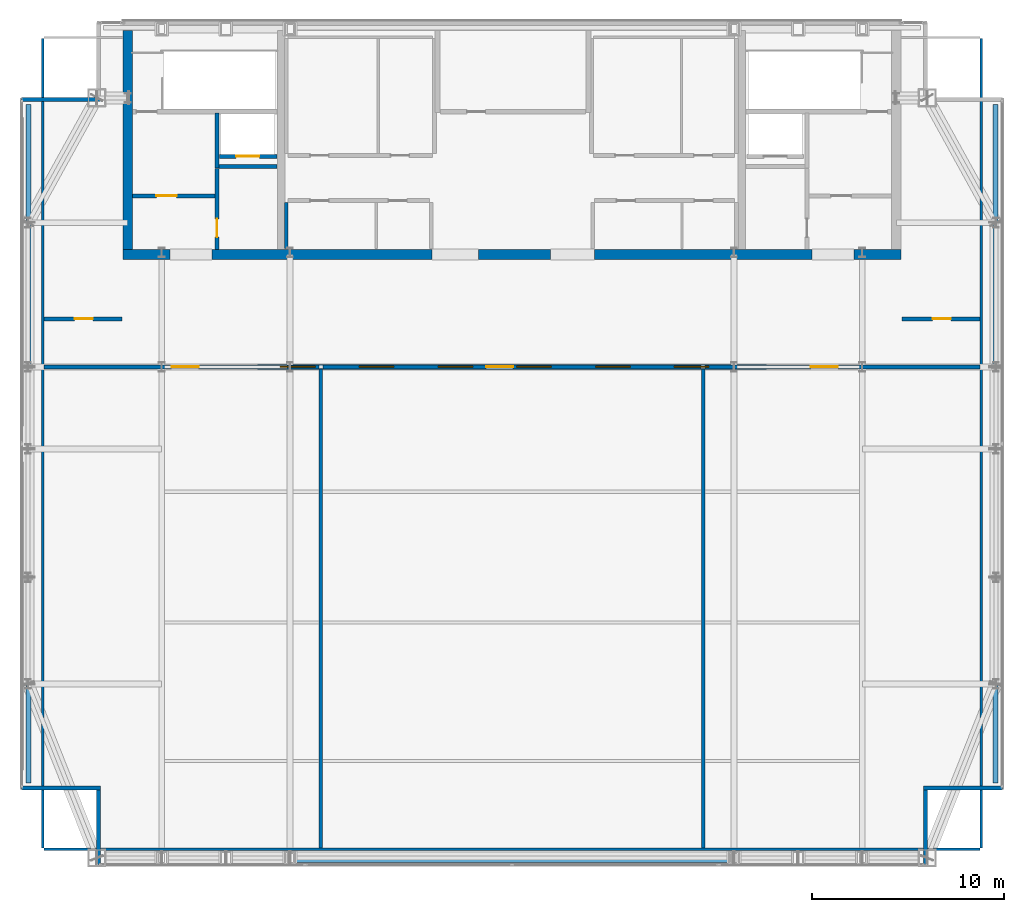
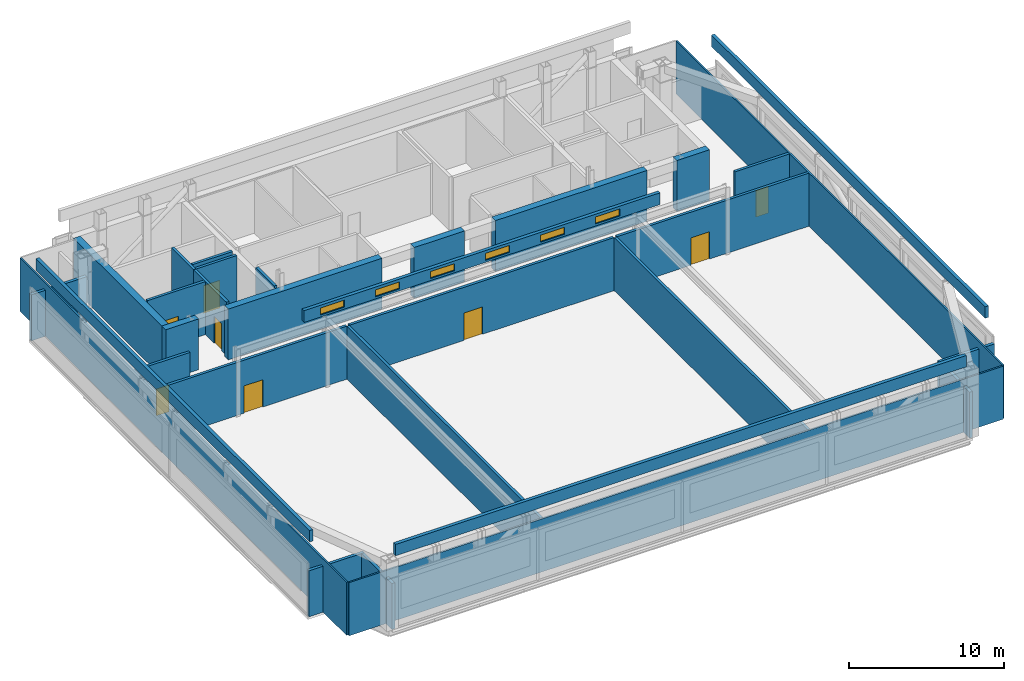
# One storey, part 21 of 24: 31 walls, 8 doors, 6 windows, 14 openings.
"""IFC4 building model written with IfcOpenShell, lengths in metres."""

from ifc_helpers import new_model, si_unit, direction, frame, frame_2d, origin, place, context, subcontext, project, spatial, rectangle, extrude, material, layer, layer_set, type_object, element, fill, save


model = new_model("IFC4")

# Units and contexts
model_context = context("Model", 3, precision=1e-05, world=origin(), true_north=direction((0.0, 1.0)))
body_context = subcontext(model_context, "Body", "Model", "MODEL_VIEW")
ifc_project = project(units=[si_unit("LENGTHUNIT", "METRE"), si_unit("AREAUNIT", "SQUARE_METRE"), si_unit("VOLUMEUNIT", "CUBIC_METRE"), si_unit("PLANEANGLEUNIT", "RADIAN"), si_unit("MASSUNIT", "GRAM", prefix="KILO")], contexts=[model_context])

# Site, building, storey
site_placement = place(None, origin())
site = spatial("IfcSite", under=ifc_project, at=site_placement, CompositionType="ELEMENT")
building_placement = place(site_placement, origin())
building = spatial("IfcBuilding", under=site, at=building_placement, Name="Khoronbel Lancet Exchange", CompositionType="ELEMENT")
storey_placement = place(building_placement, frame((0.0, 0.0, 378.60009765625)))
storey = spatial("IfcBuildingStorey", under=building, at=storey_placement, Name="L96", CompositionType="ELEMENT", Elevation=378.60009765625)

# Walls
ifc_material_1 = material(Name="Concrete C60/75", Category="concrete")
ifc_layer_1 = layer(ifc_material_1, 0.5, Name="Concrete C60/75")
ifc_layer_set_1 = layer_set([ifc_layer_1], Name="Concrete C60/75")
wall_type_1 = type_object("IfcWallType", Name="WL-CW4", PredefinedType="SHEAR", material=ifc_layer_set_1)
wall_1_placement = place(storey_placement, frame((16.449951171875, 41.800048828125, 0.0), z_axis=(0.0, 0.0, 1.0), x_axis=(0.0, 1.0, 0.0)))
element("IfcWall", 1, at=wall_1_placement, inside=storey, type_object=wall_type_1, Name="Level L96 rear core west shear wall", PredefinedType="SHEAR", context=body_context, shape_type="SweptSolid", body=[
    extrude(rectangle(XDim=11.39990234375, YDim=0.5, at=frame_2d((5.699951171875, 0.0))), origin(), (0.0, 0.0, 1.0), 4.0),
])
wall_2_placement = place(storey_placement, frame((18.64990234375, 41.550048828125, 0.0), z_axis=(0.0, 0.0, 1.0), x_axis=(-1.0, 0.0, 0.0)))
element("IfcWall", 2, at=wall_2_placement, inside=storey, type_object=wall_type_1, Name="Level L96 rear core south shear wall pier P1", PredefinedType="SHEAR", context=body_context, shape_type="SweptSolid", body=[
    extrude(rectangle(XDim=2.449951171875, YDim=0.5, at=frame_2d((1.22509765625, 0.0))), origin(), (0.0, 0.0, 1.0), 4.0),
])
wall_3_placement = place(storey_placement, frame((32.300048828125, 41.550048828125, 0.0), z_axis=(0.0, 0.0, 1.0), x_axis=(-1.0, 0.0, 0.0)))
element("IfcWall", 3, at=wall_3_placement, inside=storey, type_object=wall_type_1, Name="Level L96 rear core south shear wall pier P2", PredefinedType="SHEAR", context=body_context, shape_type="SweptSolid", body=[
    extrude(rectangle(XDim=11.449951171875, YDim=0.5, at=frame_2d((5.72509765625, 0.0))), origin(), (0.0, 0.0, 1.0), 4.0),
])
wall_4_placement = place(storey_placement, frame((38.449951171875, 41.550048828125, 0.0), z_axis=(0.0, 0.0, 1.0), x_axis=(-1.0, 0.0, 0.0)))
element("IfcWall", 4, at=wall_4_placement, inside=storey, type_object=wall_type_1, Name="Level L96 rear core south shear wall pier P3", PredefinedType="SHEAR", context=body_context, shape_type="SweptSolid", body=[
    extrude(rectangle(XDim=3.75, YDim=0.5, at=frame_2d((1.875, 0.0))), origin(), (0.0, 0.0, 1.0), 4.0),
])
wall_5_placement = place(storey_placement, frame((52.050048828125, 41.550048828125, 0.0), z_axis=(0.0, 0.0, 1.0), x_axis=(-1.0, 0.0, 0.0)))
element("IfcWall", 5, at=wall_5_placement, inside=storey, type_object=wall_type_1, Name="Level L96 rear core south shear wall pier P4", PredefinedType="SHEAR", context=body_context, shape_type="SweptSolid", body=[
    extrude(rectangle(XDim=11.300048828125, YDim=0.5, at=frame_2d((5.64990234375, 0.0))), origin(), (0.0, 0.0, 1.0), 4.0),
])
wall_6_placement = place(storey_placement, frame((56.699951171875, 41.550048828125, 0.0), z_axis=(0.0, 0.0, 1.0), x_axis=(-1.0, 0.0, 0.0)))
element("IfcWall", 6, at=wall_6_placement, inside=storey, type_object=wall_type_1, Name="Level L96 rear core south shear wall pier P5", PredefinedType="SHEAR", context=body_context, shape_type="SweptSolid", body=[
    extrude(rectangle(XDim=2.449951171875, YDim=0.5, at=frame_2d((1.22509765625, 0.0))), origin(), (0.0, 0.0, 1.0), 4.0),
])
ifc_material_2 = material(Name="Precast concrete C40/50", Category="concrete")
ifc_layer_2 = layer(ifc_material_2, 0.25, Name="Precast concrete C40/50")
ifc_layer_set_2 = layer_set([ifc_layer_2], Name="Precast concrete C40/50")
wall_type_2 = type_object("IfcWallType", Name="WL-EXT250", PredefinedType="SOLIDWALL", material=ifc_layer_set_2)
wall_7_placement = place(storey_placement, frame((14.93994140625, 9.77001953125, 0.0), z_axis=(0.0, 0.0, 1.0), x_axis=(0.0, 1.0, 0.0)))
element("IfcWall", 7, at=wall_7_placement, inside=storey, type_object=wall_type_2, Name="Level L96 notched-corner limestone pier 01", PredefinedType="SOLIDWALL", context=body_context, shape_type="SweptSolid", body=[
    extrude(rectangle(XDim=3.909912109375, YDim=0.219970703125, at=frame_2d((1.955078125, 0.0))), origin(), (0.0, 0.0, 1.0), 3.619873046875),
])
for number, where, z_axis, x_axis, name in (
    (8, (15.050048828125, 13.7900390625, 0.0), (0.0, 0.0, 1.0), (-1.0, 0.0, 0.0), "Level L96 notched-corner limestone pier 02"),
    (9, (10.919921875, 49.610107421875, 0.0), (0.0, 0.0, 1.0), (1.0, 0.0, 0.0), "Level L96 notched-corner limestone pier 04"),
):
    element("IfcWall", number, at=place(storey_placement, frame(where, z_axis=z_axis, x_axis=x_axis)), inside=storey, type_object=wall_type_2, Name=name, PredefinedType="SOLIDWALL", context=body_context, shape_type="SweptSolid", body=[
        extrude(rectangle(XDim=4.130126953125, YDim=0.219970703125, at=frame_2d((2.06494140625, 0.0))), origin(), (0.0, 0.0, 1.0), 3.619873046875),
    ])
wall_8_placement = place(storey_placement, frame((61.97998046875, 13.7900390625, 0.0), z_axis=(0.0, 0.0, 1.0), x_axis=(-1.0, 0.0, 0.0)))
element("IfcWall", 10, at=wall_8_placement, inside=storey, type_object=wall_type_2, Name="Level L96 notched-corner limestone pier 10", PredefinedType="SOLIDWALL", context=body_context, shape_type="SweptSolid", body=[
    extrude(rectangle(XDim=4.1298828125, YDim=0.219970703125, at=frame_2d((2.06494140625, 0.0))), origin(), (0.0, 0.0, 1.0), 3.619873046875),
])
wall_9_placement = place(storey_placement, frame((57.9599609375, 13.679931640625, 0.0), z_axis=(0.0, 0.0, 1.0), x_axis=(0.0, -1.0, 0.0)))
element("IfcWall", 11, at=wall_9_placement, inside=storey, type_object=wall_type_2, Name="Level L96 notched-corner limestone pier 11", PredefinedType="SOLIDWALL", context=body_context, shape_type="SweptSolid", body=[
    extrude(rectangle(XDim=3.909912109375, YDim=0.219970703125, at=frame_2d((1.955078125, 0.0))), origin(), (0.0, 0.0, 1.0), 3.619873046875),
])

# Wall, openings, windows
ifc_material_3 = material(Name="Concrete C40/50", Category="concrete")
ifc_layer_3 = layer(ifc_material_3, 0.25, Name="Concrete C40/50")
ifc_layer_set_3 = layer_set([ifc_layer_3], Name="Concrete C40/50")
wall_type_3 = type_object("IfcWallType", Name="WL-PAR250", PredefinedType="PARAPET", material=ifc_layer_set_3)
wall_10_placement = place(storey_placement, frame((23.199951171875, 35.699951171875, 5.599853515625), z_axis=(0.0, 0.0, 1.0), x_axis=(1.0, 0.0, 0.0)))
wall_10 = element("IfcWall", 12, at=wall_10_placement, inside=storey, type_object=wall_type_3, Name="Level L96 crown ridge skylight lantern curb wall", PredefinedType="PARAPET", context=body_context, shape_type="SweptSolid", body=[
    extrude(rectangle(XDim=26.5, YDim=0.25, at=frame_2d((13.25, 0.0))), origin(), (0.0, 0.0, 1.0), 0.929931640625),
])
opening_1_placement = place(wall_10_placement, frame((1.199951171875, 0.0, 0.159912109375)))
opening_1 = element("IfcOpeningElement", 13, at=opening_1_placement, cuts=wall_10, Name="Opening SK1", PredefinedType="OPENING", context=body_context, shape_type="SweptSolid", body=[
    extrude(rectangle(XDim=1.800048828125, YDim=0.550048828125, at=frame_2d((0.89990234375, 0.27490234375))), frame((0.0, 0.135009765625, 0.0), z_axis=(0.0, -1.0, 0.0), x_axis=(1.0, 0.0, 0.0)), (0.0, 0.0, 1.0), 0.27001953125),
])
opening_2_placement = place(wall_10_placement, frame((5.300048828125, 0.0, 0.159912109375)))
opening_2 = element("IfcOpeningElement", 14, at=opening_2_placement, cuts=wall_10, Name="Opening SK1", PredefinedType="OPENING", context=body_context, shape_type="SweptSolid", body=[
    extrude(rectangle(XDim=1.800048828125, YDim=0.550048828125, at=frame_2d((0.89990234375, 0.27490234375))), frame((0.0, 0.135009765625, 0.0), z_axis=(0.0, -1.0, 0.0), x_axis=(1.0, 0.0, 0.0)), (0.0, 0.0, 1.0), 0.27001953125),
])
opening_3_placement = place(wall_10_placement, frame((9.39990234375, 0.0, 0.159912109375)))
opening_3 = element("IfcOpeningElement", 15, at=opening_3_placement, cuts=wall_10, Name="Opening SK1", PredefinedType="OPENING", context=body_context, shape_type="SweptSolid", body=[
    extrude(rectangle(XDim=1.800048828125, YDim=0.550048828125, at=frame_2d((0.89990234375, 0.27490234375))), frame((0.0, 0.135009765625, 0.0), z_axis=(0.0, -1.0, 0.0), x_axis=(1.0, 0.0, 0.0)), (0.0, 0.0, 1.0), 0.27001953125),
])
opening_4_placement = place(wall_10_placement, frame((13.5, 0.0, 0.159912109375)))
opening_4 = element("IfcOpeningElement", 16, at=opening_4_placement, cuts=wall_10, Name="Opening SK1", PredefinedType="OPENING", context=body_context, shape_type="SweptSolid", body=[
    extrude(rectangle(XDim=1.800048828125, YDim=0.550048828125, at=frame_2d((0.89990234375, 0.27490234375))), frame((0.0, 0.135009765625, 0.0), z_axis=(0.0, -1.0, 0.0), x_axis=(1.0, 0.0, 0.0)), (0.0, 0.0, 1.0), 0.27001953125),
])
opening_5_placement = place(wall_10_placement, frame((17.60009765625, 0.0, 0.159912109375)))
opening_5 = element("IfcOpeningElement", 17, at=opening_5_placement, cuts=wall_10, Name="Opening SK1", PredefinedType="OPENING", context=body_context, shape_type="SweptSolid", body=[
    extrude(rectangle(XDim=1.800048828125, YDim=0.550048828125, at=frame_2d((0.89990234375, 0.27490234375))), frame((0.0, 0.135009765625, 0.0), z_axis=(0.0, -1.0, 0.0), x_axis=(1.0, 0.0, 0.0)), (0.0, 0.0, 1.0), 0.27001953125),
])
opening_6_placement = place(wall_10_placement, frame((21.699951171875, 0.0, 0.159912109375)))
opening_6 = element("IfcOpeningElement", 18, at=opening_6_placement, cuts=wall_10, Name="Opening SK1", PredefinedType="OPENING", context=body_context, shape_type="SweptSolid", body=[
    extrude(rectangle(XDim=1.800048828125, YDim=0.550048828125, at=frame_2d((0.89990234375, 0.27490234375))), frame((0.0, 0.135009765625, 0.0), z_axis=(0.0, -1.0, 0.0), x_axis=(1.0, 0.0, 0.0)), (0.0, 0.0, 1.0), 0.27001953125),
])
ifc_material_4 = material(Name="Low-E Solar Control Insulating Glass", Category="glass")
window_type = type_object("IfcWindowType", Name="WIN-SK1", PartitioningType="SINGLE_PANEL", PredefinedType="SKYLIGHT", material=ifc_material_4)
window_1_placement = place(opening_1_placement, origin())
window_1 = element("IfcWindow", 19, at=window_1_placement, inside=storey, type_object=window_type, Name="Level L96 crown maintenance clerestory skylight 1", OverallHeight=0.550048828125, OverallWidth=1.800048828125, PartitioningType="SINGLE_PANEL", PredefinedType="SKYLIGHT", context=body_context, shape_type="SweptSolid", body=[
    extrude(rectangle(XDim=1.800048828125, YDim=0.550048828125, at=frame_2d((0.89990234375, 0.27490234375))), frame((0.0, 0.030029296875, 0.0), z_axis=(0.0, -1.0, 0.0), x_axis=(1.0, 0.0, 0.0)), (0.0, 0.0, 1.0), 0.06005859375),
])
fill(opening_1, window_1)
window_2_placement = place(opening_2_placement, origin())
window_2 = element("IfcWindow", 20, at=window_2_placement, inside=storey, type_object=window_type, Name="Level L96 crown maintenance clerestory skylight 2", OverallHeight=0.550048828125, OverallWidth=1.800048828125, PartitioningType="SINGLE_PANEL", PredefinedType="SKYLIGHT", context=body_context, shape_type="SweptSolid", body=[
    extrude(rectangle(XDim=1.800048828125, YDim=0.550048828125, at=frame_2d((0.89990234375, 0.27490234375))), frame((0.0, 0.030029296875, 0.0), z_axis=(0.0, -1.0, 0.0), x_axis=(1.0, 0.0, 0.0)), (0.0, 0.0, 1.0), 0.06005859375),
])
fill(opening_2, window_2)
window_3_placement = place(opening_3_placement, origin())
window_3 = element("IfcWindow", 21, at=window_3_placement, inside=storey, type_object=window_type, Name="Level L96 crown maintenance clerestory skylight 3", OverallHeight=0.550048828125, OverallWidth=1.800048828125, PartitioningType="SINGLE_PANEL", PredefinedType="SKYLIGHT", context=body_context, shape_type="SweptSolid", body=[
    extrude(rectangle(XDim=1.800048828125, YDim=0.550048828125, at=frame_2d((0.89990234375, 0.27490234375))), frame((0.0, 0.030029296875, 0.0), z_axis=(0.0, -1.0, 0.0), x_axis=(1.0, 0.0, 0.0)), (0.0, 0.0, 1.0), 0.06005859375),
])
fill(opening_3, window_3)
window_4_placement = place(opening_4_placement, origin())
window_4 = element("IfcWindow", 22, at=window_4_placement, inside=storey, type_object=window_type, Name="Level L96 crown maintenance clerestory skylight 4", OverallHeight=0.550048828125, OverallWidth=1.800048828125, PartitioningType="SINGLE_PANEL", PredefinedType="SKYLIGHT", context=body_context, shape_type="SweptSolid", body=[
    extrude(rectangle(XDim=1.800048828125, YDim=0.550048828125, at=frame_2d((0.89990234375, 0.27490234375))), frame((0.0, 0.030029296875, 0.0), z_axis=(0.0, -1.0, 0.0), x_axis=(1.0, 0.0, 0.0)), (0.0, 0.0, 1.0), 0.06005859375),
])
fill(opening_4, window_4)
window_5_placement = place(opening_5_placement, origin())
window_5 = element("IfcWindow", 23, at=window_5_placement, inside=storey, type_object=window_type, Name="Level L96 crown maintenance clerestory skylight 5", OverallHeight=0.550048828125, OverallWidth=1.800048828125, PartitioningType="SINGLE_PANEL", PredefinedType="SKYLIGHT", context=body_context, shape_type="SweptSolid", body=[
    extrude(rectangle(XDim=1.800048828125, YDim=0.550048828125, at=frame_2d((0.89990234375, 0.27490234375))), frame((0.0, 0.030029296875, 0.0), z_axis=(0.0, -1.0, 0.0), x_axis=(1.0, 0.0, 0.0)), (0.0, 0.0, 1.0), 0.06005859375),
])
fill(opening_5, window_5)
window_6_placement = place(opening_6_placement, origin())
window_6 = element("IfcWindow", 24, at=window_6_placement, inside=storey, type_object=window_type, Name="Level L96 crown maintenance clerestory skylight 6", OverallHeight=0.550048828125, OverallWidth=1.800048828125, PartitioningType="SINGLE_PANEL", PredefinedType="SKYLIGHT", context=body_context, shape_type="SweptSolid", body=[
    extrude(rectangle(XDim=1.800048828125, YDim=0.550048828125, at=frame_2d((0.89990234375, 0.27490234375))), frame((0.0, 0.030029296875, 0.0), z_axis=(0.0, -1.0, 0.0), x_axis=(1.0, 0.0, 0.0)), (0.0, 0.0, 1.0), 0.06005859375),
])
fill(opening_6, window_6)

# Walls
wall_11_placement = place(storey_placement, frame((15.199951171875, 10.050048828125, 5.579833984375), z_axis=(0.0, 0.0, 1.0), x_axis=(1.0, 0.0, 0.0)))
element("IfcWall", 25, at=wall_11_placement, inside=storey, type_object=wall_type_3, Name="Level L96 closed ring-crown eave parapet S", PredefinedType="PARAPET", context=body_context, shape_type="SweptSolid", body=[
    extrude(rectangle(XDim=42.5, YDim=0.25, at=frame_2d((21.25, 0.0))), origin(), (0.0, 0.0, 1.0), 0.900146484375),
])
for number, where, z_axis, x_axis, name in (
    (26, (11.300048828125, 49.35009765625, 5.579833984375), (0.0, 0.0, 1.0), (0.0, -1.0, 0.0), "Level L96 closed ring-crown eave parapet W"),
    (27, (61.60009765625, 14.050048828125, 5.579833984375), (0.0, 0.0, 1.0), (0.0, 1.0, 0.0), "Level L96 closed ring-crown eave parapet E"),
):
    element("IfcWall", number, at=place(storey_placement, frame(where, z_axis=z_axis, x_axis=x_axis)), inside=storey, type_object=wall_type_3, Name=name, PredefinedType="PARAPET", context=body_context, shape_type="SweptSolid", body=[
        extrude(rectangle(XDim=35.300048828125, YDim=0.25, at=frame_2d((17.64990234375, 0.0))), origin(), (0.0, 0.0, 1.0), 0.900146484375),
    ])
ifc_material_5 = material(Name="Acoustic Metal-Stud & Mineral-Wool Gypsum Partition 120 mm", Category="gypsum")
ifc_layer_4 = layer(ifc_material_5, 0.1201171875, Name="Acoustic Metal-Stud & Mineral-Wool Gypsum Partition 120 mm")
ifc_layer_set_4 = layer_set([ifc_layer_4], Name="Acoustic Metal-Stud & Mineral-Wool Gypsum Partition 120 mm")
wall_type_4 = type_object("IfcWallType", Name="WL-PRT120", PredefinedType="PARTITIONING", material=ifc_layer_set_4)
for number, where, z_axis, x_axis, name in (
    (28, (12.030029296875, 10.6650390625, 0.0), (0.0, 0.0, 1.0), (0.0, 1.0, 0.0), "Level L96 interior partition PW-LIN-W"),
    (29, (60.8701171875, 10.6650390625, 0.0), (0.0, 0.0, 1.0), (0.0, 1.0, 0.0), "Level L96 interior partition PW-LIN-E"),
):
    element("IfcWall", number, at=place(storey_placement, frame(where, z_axis=z_axis, x_axis=x_axis)), inside=storey, type_object=wall_type_4, Name=name, PredefinedType="PARTITIONING", context=body_context, shape_type="SweptSolid", body=[
        extrude(rectangle(XDim=42.10986328125, YDim=0.1201171875, at=frame_2d((21.054931640625, 0.0))), origin(), (0.0, 0.0, 1.0), 4.179931640625),
    ])
wall_12_placement = place(storey_placement, frame((12.094970703125, 10.60009765625, 0.0), z_axis=(0.0, 0.0, 1.0), x_axis=(1.0, 0.0, 0.0)))
element("IfcWall", 30, at=wall_12_placement, inside=storey, type_object=wall_type_4, Name="Level L96 interior partition PW-LIN-S", PredefinedType="PARTITIONING", context=body_context, shape_type="SweptSolid", body=[
    extrude(rectangle(XDim=48.7099609375, YDim=0.1201171875, at=frame_2d((24.35498046875, 0.0))), origin(), (0.0, 0.0, 1.0), 4.179931640625),
])

# Wall, opening, door
ifc_material_6 = material(Name="Autoclaved Aerated Concrete Blockwork 200 mm", Category="masonry")
ifc_layer_5 = layer(ifc_material_6, 0.199951171875, Name="Autoclaved Aerated Concrete Blockwork 200 mm")
ifc_layer_set_5 = layer_set([ifc_layer_5], Name="Autoclaved Aerated Concrete Blockwork 200 mm")
wall_type_5 = type_object("IfcWallType", Name="WL-PRT200", PredefinedType="PARTITIONING", material=ifc_layer_set_5)
wall_13_placement = place(storey_placement, frame((24.2099609375, 46.64990234375, 0.0), z_axis=(0.0, 0.0, 1.0), x_axis=(-1.0, 0.0, 0.0)))
wall_13 = element("IfcWall", 31, at=wall_13_placement, inside=storey, type_object=wall_type_5, Name="Level L96 elevator hoistway landing front wall FFLW", PredefinedType="PARTITIONING", context=body_context, shape_type="SweptSolid", body=[
    extrude(rectangle(XDim=2.969970703125, YDim=0.199951171875, at=frame_2d((1.48486328125, 0.0))), origin(), (0.0, 0.0, 1.0), 4.179931640625),
])
opening_7_placement = place(wall_13_placement, frame((0.909912109375, 0.0, 0.0)))
opening_7 = element("IfcOpeningElement", 32, at=opening_7_placement, cuts=wall_13, Name="Opening LD-FFL1", PredefinedType="OPENING", context=body_context, shape_type="SweptSolid", body=[
    extrude(rectangle(XDim=1.199951171875, YDim=2.179931640625, at=frame_2d((0.60009765625, 1.08984375))), frame((0.0, 0.10986328125, 0.0), z_axis=(0.0, -1.0, 0.0), x_axis=(1.0, 0.0, 0.0)), (0.0, 0.0, 1.0), 0.219970703125),
])
ifc_material_7 = material(Name="Fire-Rated Stainless Bi-Parting Firefighting Lift Door", Category="steel")
door_type_1 = type_object("IfcDoorType", Name="DR-LD-FFL", OperationType="NOTDEFINED", PredefinedType="DOOR", material=ifc_material_7)
door_1_placement = place(opening_7_placement, origin())
door_1 = element("IfcDoor", 33, at=door_1_placement, inside=storey, type_object=door_type_1, Name="Elevator landing sliding door LD-FFL1 L96", OperationType="SLIDING_TO_LEFT", OverallHeight=2.179931640625, OverallWidth=1.199951171875, PredefinedType="DOOR", context=body_context, shape_type="SweptSolid", body=[
    extrude(rectangle(XDim=1.199951171875, YDim=2.179931640625, at=frame_2d((0.60009765625, 1.08984375))), frame((0.0, 0.02490234375, 0.0), z_axis=(0.0, -1.0, 0.0), x_axis=(1.0, 0.0, 0.0)), (0.0, 0.0, 1.0), 0.050048828125),
])
fill(opening_7, door_1)

# Wall
wall_14_placement = place(storey_placement, frame((21.10009765625, 46.050048828125, 0.0), z_axis=(0.0, 0.0, 1.0), x_axis=(0.0, 1.0, 0.0)))
element("IfcWall", 34, at=wall_14_placement, inside=storey, type_object=wall_type_5, Name="Level L96 interior partition CW-FFLW-E", PredefinedType="PARTITIONING", context=body_context, shape_type="SweptSolid", body=[
    extrude(rectangle(XDim=2.849853515625, YDim=0.199951171875, at=frame_2d((1.4248046875, 0.0))), origin(), (0.0, 0.0, 1.0), 4.179931640625),
])

# Wall, opening, door
wall_15_placement = place(storey_placement, frame((16.699951171875, 44.60009765625, 0.0), z_axis=(0.0, 0.0, 1.0), x_axis=(1.0, 0.0, 0.0)))
wall_15 = element("IfcWall", 35, at=wall_15_placement, inside=storey, type_object=wall_type_5, Name="Level L96 interior partition CW-FFLW-S", PredefinedType="PARTITIONING", context=body_context, shape_type="SweptSolid", body=[
    extrude(rectangle(XDim=4.300048828125, YDim=0.199951171875, at=frame_2d((2.14990234375, 0.0))), origin(), (0.0, 0.0, 1.0), 4.179931640625),
])
opening_8_placement = place(wall_15_placement, frame((1.25, 0.0, 0.0)))
opening_8 = element("IfcOpeningElement", 36, at=opening_8_placement, cuts=wall_15, Name="Opening FD1", PredefinedType="OPENING", context=body_context, shape_type="SweptSolid", body=[
    extrude(rectangle(XDim=1.050048828125, YDim=2.14990234375, at=frame_2d((0.52490234375, 1.074951171875))), frame((0.0, 0.10986328125, 0.0), z_axis=(0.0, -1.0, 0.0), x_axis=(1.0, 0.0, 0.0)), (0.0, 0.0, 1.0), 0.219970703125),
])
ifc_material_8 = material(Name="Fire-Rated Painted Steel Door Assembly", Category="steel")
door_type_2 = type_object("IfcDoorType", Name="DR-FD1", OperationType="NOTDEFINED", PredefinedType="DOOR", material=ifc_material_8)
door_2_placement = place(opening_8_placement, origin())
door_2 = element("IfcDoor", 37, at=door_2_placement, inside=storey, type_object=door_type_2, Name="West firefighting lobby FD90S door L96-1", OperationType="SINGLE_SWING_LEFT", OverallHeight=2.14990234375, OverallWidth=1.050048828125, PredefinedType="DOOR", context=body_context, shape_type="SweptSolid", body=[
    extrude(rectangle(XDim=1.050048828125, YDim=2.14990234375, at=frame_2d((0.52490234375, 1.074951171875))), frame((0.0, 0.02490234375, 0.0), z_axis=(0.0, -1.0, 0.0), x_axis=(1.0, 0.0, 0.0)), (0.0, 0.0, 1.0), 0.050048828125),
])
fill(opening_8, door_2)

# Wall
wall_16_placement = place(storey_placement, frame((21.199951171875, 46.1201171875, 0.0), z_axis=(0.0, 0.0, 1.0), x_axis=(1.0, 0.0, 0.0)))
element("IfcWall", 38, at=wall_16_placement, inside=storey, type_object=wall_type_5, Name="Level L96 interior partition CW-FFL1-S", PredefinedType="PARTITIONING", context=body_context, shape_type="SweptSolid", body=[
    extrude(rectangle(XDim=3.02001953125, YDim=0.199951171875, at=frame_2d((1.510009765625, 0.0))), origin(), (0.0, 0.0, 1.0), 4.179931640625),
])

# Wall, opening, door
wall_17_placement = place(storey_placement, frame((21.10009765625, 41.800048828125, 0.0), z_axis=(0.0, 0.0, 1.0), x_axis=(0.0, 1.0, 0.0)))
wall_17 = element("IfcWall", 39, at=wall_17_placement, inside=storey, type_object=wall_type_5, Name="Level L96 interior partition CW-SVL1-REC", PredefinedType="PARTITIONING", context=body_context, shape_type="SweptSolid", body=[
    extrude(rectangle(XDim=4.21484375, YDim=0.199951171875, at=frame_2d((2.107421875, 0.0))), origin(), (0.0, 0.0, 1.0), 4.179931640625),
])
opening_9_placement = place(wall_17_placement, frame((0.64990234375, 0.0, 0.0)))
opening_9 = element("IfcOpeningElement", 40, at=opening_9_placement, cuts=wall_17, Name="Opening FD3", PredefinedType="OPENING", context=body_context, shape_type="SweptSolid", body=[
    extrude(rectangle(XDim=0.949951171875, YDim=2.10009765625, at=frame_2d((0.47509765625, 1.050048828125))), frame((0.0, 0.10986328125, 0.0), z_axis=(0.0, -1.0, 0.0), x_axis=(1.0, 0.0, 0.0)), (0.0, 0.0, 1.0), 0.219970703125),
])
ifc_material_9 = material(Name="Fire-Rated Steel Plant & Riser Door Assembly", Category="steel")
door_type_3 = type_object("IfcDoorType", Name="DR-FD3", OperationType="NOTDEFINED", PredefinedType="DOOR", material=ifc_material_9)
door_3_placement = place(opening_9_placement, origin())
door_3 = element("IfcDoor", 41, at=door_3_placement, inside=storey, type_object=door_type_3, Name="Crown telecoms plant door L96-1", OperationType="SINGLE_SWING_RIGHT", OverallHeight=2.10009765625, OverallWidth=0.949951171875, PredefinedType="DOOR", context=body_context, shape_type="SweptSolid", body=[
    extrude(rectangle(XDim=0.949951171875, YDim=2.10009765625, at=frame_2d((0.47509765625, 1.050048828125))), frame((0.0, 0.02490234375, 0.0), z_axis=(0.0, -1.0, 0.0), x_axis=(1.0, 0.0, 0.0)), (0.0, 0.0, 1.0), 0.050048828125),
])
fill(opening_9, door_3)

# Wall
wall_18_placement = place(storey_placement, frame((24.699951171875, 41.85009765625, 0.0), z_axis=(0.0, 0.0, 1.0), x_axis=(0.0, 1.0, 0.0)))
element("IfcWall", 42, at=wall_18_placement, inside=storey, type_object=wall_type_5, Name="Level L96 interior partition CW-PM-RW", PredefinedType="PARTITIONING", context=body_context, shape_type="SweptSolid", body=[
    extrude(rectangle(XDim=2.39501953125, YDim=0.199951171875, at=frame_2d((1.197509765625, 0.0))), origin(), (0.0, 0.0, 1.0), 4.179931640625),
])

# Wall, opening, door
wall_19_placement = place(storey_placement, frame((12.094970703125, 35.699951171875, 0.0), z_axis=(0.0, 0.0, 1.0), x_axis=(1.0, 0.0, 0.0)))
wall_19 = element("IfcWall", 43, at=wall_19_placement, inside=storey, type_object=wall_type_5, Name="Level L96 interior partition PW-CRN-S1", PredefinedType="PARTITIONING", context=body_context, shape_type="SweptSolid", body=[
    extrude(rectangle(XDim=14.300048828125, YDim=0.199951171875, at=frame_2d((7.14990234375, 0.0))), origin(), (0.0, 0.0, 1.0), 4.179931640625),
])
opening_10_placement = place(wall_19_placement, frame((6.64990234375, 0.0, 0.0)))
opening_10 = element("IfcOpeningElement", 44, at=opening_10_placement, cuts=wall_19, Name="Opening D7", PredefinedType="OPENING", context=body_context, shape_type="SweptSolid", body=[
    extrude(rectangle(XDim=1.39990234375, YDim=2.14990234375, at=frame_2d((0.699951171875, 1.074951171875))), frame((0.0, 0.10986328125, 0.0), z_axis=(0.0, -1.0, 0.0), x_axis=(1.0, 0.0, 0.0)), (0.0, 0.0, 1.0), 0.219970703125),
])
ifc_material_10 = material(Name="Fire-Rated Heavy Plant Double Door Assembly", Category="steel")
door_type_4 = type_object("IfcDoorType", Name="DR-D7", OperationType="NOTDEFINED", PredefinedType="DOOR", material=ifc_material_10)
door_4_placement = place(opening_10_placement, origin())
door_4 = element("IfcDoor", 45, at=door_4_placement, inside=storey, type_object=door_type_4, Name="Crown west plant double door L96-1", OperationType="DOUBLE_DOOR_SINGLE_SWING", OverallHeight=2.14990234375, OverallWidth=1.39990234375, PredefinedType="DOOR", context=body_context, shape_type="SweptSolid", body=[
    extrude(rectangle(XDim=1.39990234375, YDim=2.14990234375, at=frame_2d((0.699951171875, 1.074951171875))), frame((0.0, 0.02490234375, 0.0), z_axis=(0.0, -1.0, 0.0), x_axis=(1.0, 0.0, 0.0)), (0.0, 0.0, 1.0), 0.050048828125),
])
fill(opening_10, door_4)

wall_20_placement = place(storey_placement, frame((26.60498046875, 35.699951171875, 0.0), z_axis=(0.0, 0.0, 1.0), x_axis=(1.0, 0.0, 0.0)))
wall_20 = element("IfcWall", 46, at=wall_20_placement, inside=storey, type_object=wall_type_5, Name="Level L96 interior partition PW-CRN-S2", PredefinedType="PARTITIONING", context=body_context, shape_type="SweptSolid", body=[
    extrude(rectangle(XDim=19.68994140625, YDim=0.199951171875, at=frame_2d((9.844970703125, 0.0))), origin(), (0.0, 0.0, 1.0), 4.179931640625),
])
opening_11_placement = place(wall_20_placement, frame((8.5, 0.0, 0.0)))
opening_11 = element("IfcOpeningElement", 47, at=opening_11_placement, cuts=wall_20, Name="Opening D7", PredefinedType="OPENING", context=body_context, shape_type="SweptSolid", body=[
    extrude(rectangle(XDim=1.39990234375, YDim=2.14990234375, at=frame_2d((0.699951171875, 1.074951171875))), frame((0.0, 0.10986328125, 0.0), z_axis=(0.0, -1.0, 0.0), x_axis=(1.0, 0.0, 0.0)), (0.0, 0.0, 1.0), 0.219970703125),
])
door_5_placement = place(opening_11_placement, origin())
door_5 = element("IfcDoor", 48, at=door_5_placement, inside=storey, type_object=door_type_4, Name="Crown central cooling plant door L96-1", OperationType="DOUBLE_DOOR_SINGLE_SWING", OverallHeight=2.14990234375, OverallWidth=1.39990234375, PredefinedType="DOOR", context=body_context, shape_type="SweptSolid", body=[
    extrude(rectangle(XDim=1.39990234375, YDim=2.14990234375, at=frame_2d((0.699951171875, 1.074951171875))), frame((0.0, 0.02490234375, 0.0), z_axis=(0.0, -1.0, 0.0), x_axis=(1.0, 0.0, 0.0)), (0.0, 0.0, 1.0), 0.050048828125),
])
fill(opening_11, door_5)

wall_21_placement = place(storey_placement, frame((46.5048828125, 35.699951171875, 0.0), z_axis=(0.0, 0.0, 1.0), x_axis=(1.0, 0.0, 0.0)))
wall_21 = element("IfcWall", 49, at=wall_21_placement, inside=storey, type_object=wall_type_5, Name="Level L96 interior partition PW-CRN-S3", PredefinedType="PARTITIONING", context=body_context, shape_type="SweptSolid", body=[
    extrude(rectangle(XDim=14.300048828125, YDim=0.199951171875, at=frame_2d((7.14990234375, 0.0))), origin(), (0.0, 0.0, 1.0), 4.179931640625),
])
opening_12_placement = place(wall_21_placement, frame((5.5, 0.0, 0.0)))
opening_12 = element("IfcOpeningElement", 50, at=opening_12_placement, cuts=wall_21, Name="Opening D7", PredefinedType="OPENING", context=body_context, shape_type="SweptSolid", body=[
    extrude(rectangle(XDim=1.39990234375, YDim=2.14990234375, at=frame_2d((0.699951171875, 1.074951171875))), frame((0.0, 0.10986328125, 0.0), z_axis=(0.0, -1.0, 0.0), x_axis=(1.0, 0.0, 0.0)), (0.0, 0.0, 1.0), 0.219970703125),
])
door_6_placement = place(opening_12_placement, origin())
door_6 = element("IfcDoor", 51, at=door_6_placement, inside=storey, type_object=door_type_4, Name="Crown east plant double door L96-1", OperationType="DOUBLE_DOOR_SINGLE_SWING", OverallHeight=2.14990234375, OverallWidth=1.39990234375, PredefinedType="DOOR", context=body_context, shape_type="SweptSolid", body=[
    extrude(rectangle(XDim=1.39990234375, YDim=2.14990234375, at=frame_2d((0.699951171875, 1.074951171875))), frame((0.0, 0.02490234375, 0.0), z_axis=(0.0, -1.0, 0.0), x_axis=(1.0, 0.0, 0.0)), (0.0, 0.0, 1.0), 0.050048828125),
])
fill(opening_12, door_6)

# Walls
for number, where, z_axis, x_axis, name in (
    (52, (26.5, 10.6650390625, 0.0), (0.0, 0.0, 1.0), (0.0, 1.0, 0.0), "Level L96 interior partition PW-CRN-V1"),
    (53, (46.39990234375, 10.6650390625, 0.0), (0.0, 0.0, 1.0), (0.0, 1.0, 0.0), "Level L96 interior partition PW-CRN-V2"),
):
    element("IfcWall", number, at=place(storey_placement, frame(where, z_axis=z_axis, x_axis=x_axis)), inside=storey, type_object=wall_type_5, Name=name, PredefinedType="PARTITIONING", context=body_context, shape_type="SweptSolid", body=[
        extrude(rectangle(XDim=24.929931640625, YDim=0.199951171875, at=frame_2d((12.46484375, 0.0))), origin(), (0.0, 0.0, 1.0), 4.179931640625),
    ])

# Wall, opening, door
wall_22_placement = place(storey_placement, frame((12.094970703125, 38.199951171875, 0.0), z_axis=(0.0, 0.0, 1.0), x_axis=(1.0, 0.0, 0.0)))
wall_22 = element("IfcWall", 54, at=wall_22_placement, inside=storey, type_object=wall_type_5, Name="Level L96 interior partition PW-CRN-NW", PredefinedType="PARTITIONING", context=body_context, shape_type="SweptSolid", body=[
    extrude(rectangle(XDim=4.06494140625, YDim=0.199951171875, at=frame_2d((2.032470703125, 0.0))), origin(), (0.0, 0.0, 1.0), 4.179931640625),
])
opening_13_placement = place(wall_22_placement, frame((1.60009765625, 0.0, 0.0)))
opening_13 = element("IfcOpeningElement", 55, at=opening_13_placement, cuts=wall_22, Name="Opening FD3", PredefinedType="OPENING", context=body_context, shape_type="SweptSolid", body=[
    extrude(rectangle(XDim=0.949951171875, YDim=2.10009765625, at=frame_2d((0.47509765625, 1.050048828125))), frame((0.0, 0.10986328125, 0.0), z_axis=(0.0, -1.0, 0.0), x_axis=(1.0, 0.0, 0.0)), (0.0, 0.0, 1.0), 0.219970703125),
])
door_7_placement = place(opening_13_placement, origin())
door_7 = element("IfcDoor", 56, at=door_7_placement, inside=storey, type_object=door_type_3, Name="Crown NW exhaust plant door L96-1", OperationType="SINGLE_SWING_LEFT", OverallHeight=2.10009765625, OverallWidth=0.949951171875, PredefinedType="DOOR", context=body_context, shape_type="SweptSolid", body=[
    extrude(rectangle(XDim=0.949951171875, YDim=2.10009765625, at=frame_2d((0.47509765625, 1.050048828125))), frame((0.0, 0.02490234375, 0.0), z_axis=(0.0, -1.0, 0.0), x_axis=(1.0, 0.0, 0.0)), (0.0, 0.0, 1.0), 0.050048828125),
])
fill(opening_13, door_7)

wall_23_placement = place(storey_placement, frame((56.739990234375, 38.199951171875, 0.0), z_axis=(0.0, 0.0, 1.0), x_axis=(1.0, 0.0, 0.0)))
wall_23 = element("IfcWall", 57, at=wall_23_placement, inside=storey, type_object=wall_type_5, Name="Level L96 interior partition PW-CRN-NE", PredefinedType="PARTITIONING", context=body_context, shape_type="SweptSolid", body=[
    extrude(rectangle(XDim=4.06494140625, YDim=0.199951171875, at=frame_2d((2.032470703125, 0.0))), origin(), (0.0, 0.0, 1.0), 4.179931640625),
])
opening_14_placement = place(wall_23_placement, frame((1.60009765625, 0.0, 0.0)))
opening_14 = element("IfcOpeningElement", 58, at=opening_14_placement, cuts=wall_23, Name="Opening FD3", PredefinedType="OPENING", context=body_context, shape_type="SweptSolid", body=[
    extrude(rectangle(XDim=0.949951171875, YDim=2.10009765625, at=frame_2d((0.47509765625, 1.050048828125))), frame((0.0, 0.10986328125, 0.0), z_axis=(0.0, -1.0, 0.0), x_axis=(1.0, 0.0, 0.0)), (0.0, 0.0, 1.0), 0.219970703125),
])
door_8_placement = place(opening_14_placement, origin())
door_8 = element("IfcDoor", 59, at=door_8_placement, inside=storey, type_object=door_type_3, Name="Crown NE controls plant door L96-1", OperationType="SINGLE_SWING_RIGHT", OverallHeight=2.10009765625, OverallWidth=0.949951171875, PredefinedType="DOOR", context=body_context, shape_type="SweptSolid", body=[
    extrude(rectangle(XDim=0.949951171875, YDim=2.10009765625, at=frame_2d((0.47509765625, 1.050048828125))), frame((0.0, 0.02490234375, 0.0), z_axis=(0.0, -1.0, 0.0), x_axis=(1.0, 0.0, 0.0)), (0.0, 0.0, 1.0), 0.050048828125),
])
fill(opening_14, door_8)

save(model, "model.ifc")
